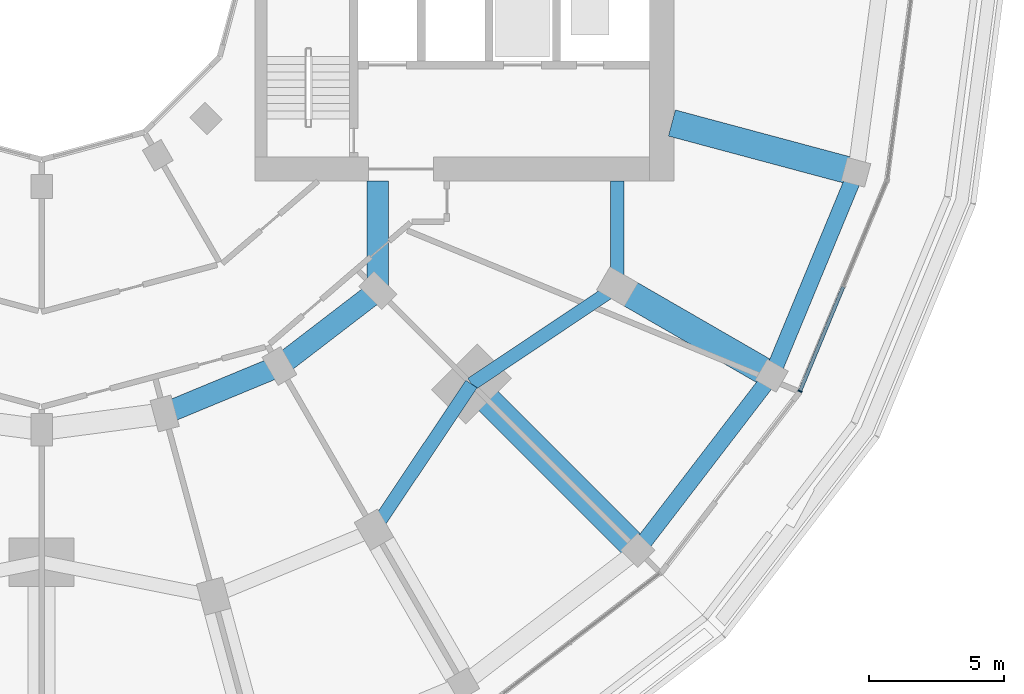
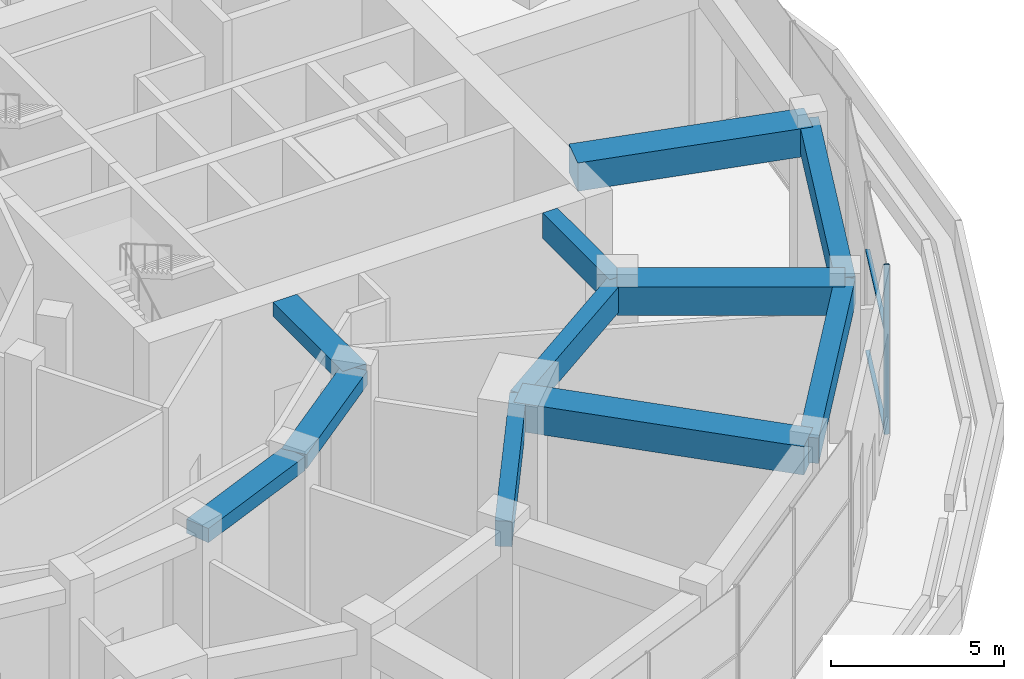
# One storey, part 6 of 23: 11 beams, 3 members, 1 element without a shape of its own.
"""IFC4 building model written with IfcOpenShell, lengths in metres."""

from ifc_helpers import new_model, si_unit, direction, frame, origin, origin_2d, place, context, subcontext, project, spatial, rectangle, extrude, material, layer, layer_set, material_profile, profile_set, type_object, element, aggregate, save


model = new_model("IFC4")

# Units and contexts
model_context = context("Model", 3, precision=1e-05, world=origin(), true_north=direction((0.0, 1.0)))
body_context = subcontext(model_context, "Body", "Model", "MODEL_VIEW")
ifc_project = project(units=[si_unit("LENGTHUNIT", "METRE"), si_unit("AREAUNIT", "SQUARE_METRE"), si_unit("VOLUMEUNIT", "CUBIC_METRE"), si_unit("PLANEANGLEUNIT", "RADIAN"), si_unit("MASSUNIT", "GRAM", prefix="KILO")], contexts=[model_context])

# Site, building, storey
site_placement = place(None, origin())
site = spatial("IfcSite", under=ifc_project, at=site_placement, CompositionType="ELEMENT")
building_placement = place(site_placement, origin())
building = spatial("IfcBuilding", under=site, at=building_placement, Name="Torre Brocal", CompositionType="ELEMENT")
storey_placement = place(building_placement, frame((0.0, 0.0, 17.800048828125)))
storey = spatial("IfcBuildingStorey", under=building, at=storey_placement, Name="L03", CompositionType="ELEMENT", Elevation=17.800048828125)

# Curtain wall, members
ifc_material_1 = material(Name="Aluminium and glass", Category="aluminium")
ifc_layer = layer(ifc_material_1, 0.199951171875)
ifc_layer_set = layer_set([ifc_layer], Name="Aluminium and glass")
curtain_wall_type = type_object("IfcCurtainWallType", Name="CW-6 CURTAIN WALL 6000 HIGH", PredefinedType="NOTDEFINED", material=ifc_layer_set)
curtain_wall_placement = place(storey_placement, origin())
curtain_wall = element("IfcCurtainWall", 1, at=curtain_wall_placement, inside=storey, type_object=curtain_wall_type, Name="CW-6 RUN 23", PredefinedType="NOTDEFINED")
ifc_material_2 = material(Name="Aluminium, dark anodised", Category="aluminium")
ifc_material_profile_1 = material_profile(ifc_material_2, rectangle(XDim=0.159912109375, YDim=0.050048828125, at=origin_2d()), Name="CW-6 MULLION 50X160")
ifc_profile_set_1 = profile_set([ifc_material_profile_1], Name="Aluminium, dark anodised")
member_type_1 = type_object("IfcMemberType", Name="CW-6 MULLION 50X160", PredefinedType="MULLION", material=ifc_profile_set_1)
member_1_placement = place(storey_placement, frame((108.068115234375, 58.823486328125, 0.0), z_axis=(0.0, 0.0, 1.0), x_axis=(-0.923879532538, 0.382683432301, 0.0)))
member_1 = element("IfcMember", 2, at=member_1_placement, type_object=member_type_1, Name="CW6-2 mullion 1", PredefinedType="MULLION", context=body_context, shape_type="SweptSolid", body=[
    extrude(rectangle(XDim=0.159912109375, YDim=0.050048828125, at=origin_2d()), origin(), (0.0, 0.0, 1.0), 6.0),
])
ifc_material_3 = material(Name="Aluminium, dark anodised", Category="aluminium")
ifc_material_profile_2 = material_profile(ifc_material_3, rectangle(XDim=0.1298828125, YDim=0.070068359375, at=origin_2d()), Name="CW-6 TRANSOM 130X70")
ifc_profile_set_2 = profile_set([ifc_material_profile_2], Name="Aluminium, dark anodised")
member_type_2 = type_object("IfcMemberType", Name="CW-6 TRANSOM 130X70", PredefinedType="USERDEFINED", material=ifc_profile_set_2)
member_2_placement = place(storey_placement, frame((108.07763671875, 58.8466796875, 0.034912109375), z_axis=(0.38268227917, 0.923880010179, 0.0), x_axis=(-0.923880010179, 0.38268227917, 0.0)))
member_2 = element("IfcMember", 3, at=member_2_placement, type_object=member_type_2, Name="CW6-2 transom 1.1", ObjectType="TRANSOM", PredefinedType="USERDEFINED", context=body_context, shape_type="SweptSolid", body=[
    extrude(rectangle(XDim=0.1298828125, YDim=0.070068359375, at=origin_2d()), origin(), (0.0, 0.0, 1.0), 4.15380859375),
])
member_3_placement = place(storey_placement, frame((108.07763671875, 58.8466796875, 3.599853515625), z_axis=(0.38268227917, 0.923880010179, 0.0), x_axis=(-0.923880010179, 0.38268227917, 0.0)))
member_3 = element("IfcMember", 4, at=member_3_placement, type_object=member_type_2, Name="CW6-2 transom 1.2", ObjectType="TRANSOM", PredefinedType="USERDEFINED", context=body_context, shape_type="SweptSolid", body=[
    extrude(rectangle(XDim=0.1298828125, YDim=0.070068359375, at=origin_2d()), origin(), (0.0, 0.0, 1.0), 4.15380859375),
])
aggregate(curtain_wall, [member_1, member_2, member_3])

# Beams
ifc_material_4 = material(Name="Concrete C50", Category="concrete")
ifc_material_profile_3 = material_profile(ifc_material_4, rectangle(XDim=0.60009765625, YDim=0.89990234375, at=origin_2d()), Name="RC 600X900")
ifc_profile_set_3 = profile_set([ifc_material_profile_3], Name="Concrete C50")
beam_type_1 = type_object("IfcBeamType", Name="RC BEAM 600X900 C50 TOP 5550", PredefinedType="BEAM", material=ifc_profile_set_3)
beam_1_placement = place(storey_placement, frame((102.061767578125, 52.938232421875, 5.099853515625), z_axis=(0.608764383689, 0.793351073076, 0.0), x_axis=(-0.793351073076, 0.608764383689, 0.0)))
element("IfcBeam", 5, at=beam_1_placement, inside=storey, type_object=beam_type_1, Name="Beam BT-13", PredefinedType="BEAM", context=body_context, shape_type="SweptSolid", body=[
    extrude(rectangle(XDim=0.60009765625, YDim=0.89990234375, at=origin_2d()), origin(), (0.0, 0.0, 1.0), 8.144775390625),
])
beam_2_placement = place(storey_placement, frame((107.02001953125, 59.39990234375, 5.099853515625), z_axis=(0.382686235977, 0.923878371212, 0.0), x_axis=(-0.923878371212, 0.382686235977, 0.0)))
element("IfcBeam", 6, at=beam_2_placement, inside=storey, type_object=beam_type_1, Name="Beam BT-13", PredefinedType="BEAM", context=body_context, shape_type="SweptSolid", body=[
    extrude(rectangle(XDim=0.60009765625, YDim=0.89990234375, at=origin_2d()), origin(), (0.0, 0.0, 1.0), 8.14501953125),
])
ifc_material_5 = material(Name="Concrete C50", Category="concrete")
ifc_material_profile_4 = material_profile(ifc_material_5, rectangle(XDim=0.800048828125, YDim=0.5, at=origin_2d()), Name="RC 800X500")
ifc_profile_set_4 = profile_set([ifc_material_profile_4], Name="Concrete C50")
beam_type_2 = type_object("IfcBeamType", Name="RC BEAM 800X500 C50 TOP 5550", PredefinedType="BEAM", material=ifc_profile_set_4)
beam_3_placement = place(storey_placement, frame((84.55517578125, 57.999755859375, 5.300048828125), z_axis=(0.923878240166, 0.382686552348, 0.0), x_axis=(-0.382686552348, 0.923878240166, 0.0)))
element("IfcBeam", 7, at=beam_3_placement, inside=storey, type_object=beam_type_2, Name="Beam BT-14", PredefinedType="BEAM", context=body_context, shape_type="SweptSolid", body=[
    extrude(rectangle(XDim=0.800048828125, YDim=0.5, at=origin_2d()), origin(), (0.0, 0.0, 1.0), 4.5947265625),
])
beam_4_placement = place(storey_placement, frame((88.800048828125, 59.758056640625, 5.300048828125), z_axis=(0.793358265959, 0.6087550097, 0.0), x_axis=(-0.6087550097, 0.793358265959, 0.0)))
element("IfcBeam", 8, at=beam_4_placement, inside=storey, type_object=beam_type_2, Name="Beam BT-14", PredefinedType="BEAM", context=body_context, shape_type="SweptSolid", body=[
    extrude(rectangle(XDim=0.800048828125, YDim=0.5, at=origin_2d()), origin(), (0.0, 0.0, 1.0), 4.594482421875),
])
beam_5_placement = place(storey_placement, frame((92.445068359375, 62.554931640625, 5.300048828125), z_axis=(0.0, 1.0, 0.0), x_axis=(-1.0, 0.0, 0.0)))
element("IfcBeam", 9, at=beam_5_placement, inside=storey, type_object=beam_type_2, Name="Beam BT-14", PredefinedType="BEAM", context=body_context, shape_type="SweptSolid", body=[
    extrude(rectangle(XDim=0.800048828125, YDim=0.5, at=origin_2d()), origin(), (0.0, 0.0, 1.0), 4.045166015625),
])
ifc_material_6 = material(Name="Concrete C50", Category="concrete")
ifc_material_profile_5 = material_profile(ifc_material_6, rectangle(XDim=0.5, YDim=0.89990234375, at=origin_2d()), Name="RC 500X900")
ifc_profile_set_5 = profile_set([ifc_material_profile_5], Name="Concrete C50")
beam_type_3 = type_object("IfcBeamType", Name="RC SPANDREL BEAM 500X900 C50 TOP 5550", PredefinedType="SPANDREL", material=ifc_profile_set_5)
for number, where, z_axis, x_axis, name in (
    (10, (92.300048828125, 53.69580078125, 5.099853515625), (0.556157602282, 0.831076844476, 0.0), (-0.831076844476, 0.556157602282, 0.0), "Beam BT-15"),
    (11, (95.909912109375, 59.090087890625, 5.099853515625), (0.831076844476, 0.556157602282, 0.0), (-0.556157602282, 0.831076844476, 0.0), "Beam BT-15"),
):
    element("IfcBeam", number, at=place(storey_placement, frame(where, z_axis=z_axis, x_axis=x_axis)), inside=storey, type_object=beam_type_3, Name=name, PredefinedType="SPANDREL", context=body_context, shape_type="SweptSolid", body=[
        extrude(rectangle(XDim=0.5, YDim=0.89990234375, at=origin_2d()), origin(), (0.0, 0.0, 1.0), 6.49072265625),
    ])
beam_6_placement = place(storey_placement, frame((101.30419921875, 62.699951171875, 5.099853515625), z_axis=(0.0, 1.0, 0.0), x_axis=(-1.0, 0.0, 0.0)))
element("IfcBeam", 12, at=beam_6_placement, inside=storey, type_object=beam_type_3, Name="Beam BT-15", PredefinedType="SPANDREL", context=body_context, shape_type="SweptSolid", body=[
    extrude(rectangle(XDim=0.5, YDim=0.89990234375, at=origin_2d()), origin(), (0.0, 0.0, 1.0), 3.900146484375),
])
ifc_material_7 = material(Name="Concrete C60", Category="concrete")
ifc_material_profile_6 = material_profile(ifc_material_7, rectangle(XDim=1.0, YDim=1.0, at=origin_2d()), Name="RC 1000X1000")
ifc_profile_set_6 = profile_set([ifc_material_profile_6], Name="Concrete C60")
beam_type_4 = type_object("IfcBeamType", Name="RC TRANSFER GIRDER 1000X1000 C60 TOP 5550", PredefinedType="BEAM", material=ifc_profile_set_6)
beam_7_placement = place(storey_placement, frame((95.909912109375, 59.090087890625, 5.050048828125), z_axis=(0.707106781187, -0.707106781187, 0.0), x_axis=(0.707106781187, 0.707106781187, 0.0)))
element("IfcBeam", 13, at=beam_7_placement, inside=storey, type_object=beam_type_4, Name="Beam TG-04", PredefinedType="BEAM", context=body_context, shape_type="SweptSolid", body=[
    extrude(rectangle(XDim=1.0, YDim=1.0, at=origin_2d()), origin(), (0.0, 0.0, 1.0), 8.699951171875),
])
beam_8_placement = place(storey_placement, frame((101.30419921875, 62.699951171875, 5.050048828125), z_axis=(0.866024194504, -0.500002094529, 0.0), x_axis=(0.500002094529, 0.866024194504, 0.0)))
element("IfcBeam", 14, at=beam_8_placement, inside=storey, type_object=beam_type_4, Name="Beam TG-04", PredefinedType="BEAM", context=body_context, shape_type="SweptSolid", body=[
    extrude(rectangle(XDim=1.0, YDim=1.0, at=origin_2d()), origin(), (0.0, 0.0, 1.0), 6.60009765625),
])
beam_9_placement = place(storey_placement, frame((103.3271484375, 68.74951171875, 5.050048828125), z_axis=(0.965925019625, -0.258822055594, 0.0), x_axis=(0.258822055594, 0.965925019625, 0.0)))
element("IfcBeam", 15, at=beam_9_placement, inside=storey, type_object=beam_type_4, Name="Beam TG-04", PredefinedType="BEAM", context=body_context, shape_type="SweptSolid", body=[
    extrude(rectangle(XDim=1.0, YDim=1.0, at=origin_2d()), origin(), (0.0, 0.0, 1.0), 7.050048828125),
])

save(model, "model.ifc")
